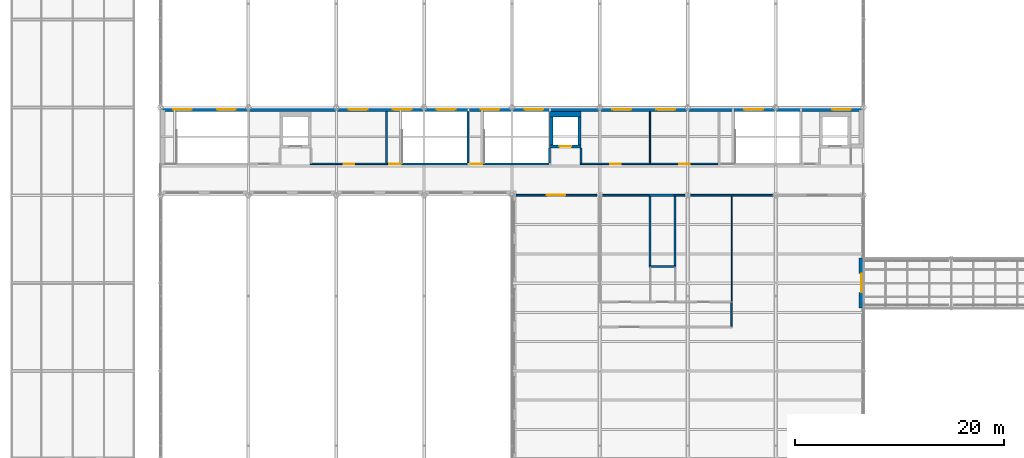
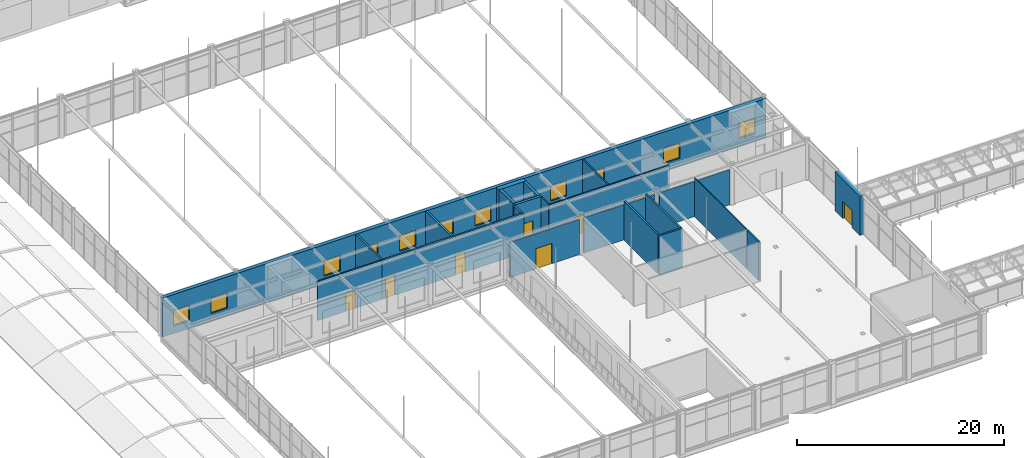
# One storey, part 152 of 167: 24 walls, 11 windows, 8 doors, 19 openings.
"""IFC4 building model written with IfcOpenShell, lengths in metres."""

from ifc_helpers import new_model, si_unit, direction, frame, frame_2d, origin, place, context, subcontext, project, spatial, rectangle, extrude, material, layer, layer_set, type_object, element, fill, save


model = new_model("IFC4")

# Units and contexts
model_context = context("Model", 3, precision=1e-05, world=origin(), true_north=direction((0.0, 1.0)))
body_context = subcontext(model_context, "Body", "Model", "MODEL_VIEW")
ifc_project = project(units=[si_unit("LENGTHUNIT", "METRE"), si_unit("AREAUNIT", "SQUARE_METRE"), si_unit("VOLUMEUNIT", "CUBIC_METRE"), si_unit("PLANEANGLEUNIT", "RADIAN"), si_unit("MASSUNIT", "GRAM", prefix="KILO")], contexts=[model_context])

# Site, building, storey
site_placement = place(None, origin())
site = spatial("IfcSite", under=ifc_project, at=site_placement, CompositionType="ELEMENT")
building_placement = place(site_placement, origin())
building = spatial("IfcBuilding", under=site, at=building_placement, Name="Catenary Quay Ferry Terminal", CompositionType="ELEMENT")
storey_placement = place(building_placement, frame((0.0, 0.0, 6.0)))
storey = spatial("IfcBuildingStorey", under=building, at=storey_placement, Name="L01", CompositionType="ELEMENT", Elevation=6.0)

# Wall, opening, door
ifc_material_1 = material(Name="Masonry and insulation", Category="masonry")
ifc_layer_1 = layer(ifc_material_1, 0.39990234375)
ifc_layer_set_1 = layer_set([ifc_layer_1], Name="EW13")
wall_type_1 = type_object("IfcWallType", Name="EW13", PredefinedType="SOLIDWALL", material=ifc_layer_set_1)
wall_1_placement = place(storey_placement, frame((92.199951171875, 90.0, 0.0), z_axis=(0.0, 0.0, 1.0), x_axis=(0.0, 1.0, 0.0)))
wall_1 = element("IfcWall", 1, at=wall_1_placement, inside=storey, type_object=wall_type_1, Name="P30 wall WL185", PredefinedType="SOLIDWALL", context=body_context, shape_type="SweptSolid", body=[
    extrude(rectangle(XDim=4.800048828125, YDim=0.39990234375, at=frame_2d((2.39990234375, 0.0))), origin(), (0.0, 0.0, 1.0), 4.60009765625),
])
opening_1_placement = place(wall_1_placement, frame((1.5, 0.0, 0.0)))
opening_1 = element("IfcOpeningElement", 2, at=opening_1_placement, cuts=wall_1, Name="Opening D125", PredefinedType="OPENING", context=body_context, shape_type="SweptSolid", body=[
    extrude(rectangle(XDim=1.800048828125, YDim=2.0, at=frame_2d((0.89990234375, 1.0))), frame((0.0, 0.2099609375, 0.0), z_axis=(0.0, -1.0, 0.0), x_axis=(1.0, 0.0, 0.0)), (0.0, 0.0, 1.0), 0.419921875),
])
ifc_material_2 = material(Name="Aluminium and glass", Category="aluminium")
door_type_1 = type_object("IfcDoorType", Name="DI11", OperationType="DOUBLE_DOOR_SINGLE_SWING", PredefinedType="DOOR", material=ifc_material_2)
door_1_placement = place(opening_1_placement, origin())
door_1 = element("IfcDoor", 3, at=door_1_placement, inside=storey, type_object=door_type_1, Name="Boarding Bridge 2 to Boarding Concourse", OperationType="DOUBLE_DOOR_SINGLE_SWING", OverallHeight=2.0, OverallWidth=1.800048828125, PredefinedType="DOOR", context=body_context, shape_type="SweptSolid", body=[
    extrude(rectangle(XDim=1.800048828125, YDim=2.0, at=frame_2d((0.89990234375, 1.0))), frame((0.0, 0.02490234375, 0.0), z_axis=(0.0, -1.0, 0.0), x_axis=(1.0, 0.0, 0.0)), (0.0, 0.0, 1.0), 0.050048828125),
])
fill(opening_1, door_1)

# Wall, openings, windows
ifc_material_3 = material(Name="Masonry and insulation", Category="masonry")
ifc_layer_2 = layer(ifc_material_3, 0.39990234375)
ifc_layer_set_2 = layer_set([ifc_layer_2], Name="EW2")
wall_type_2 = type_object("IfcWallType", Name="EW2", PredefinedType="SOLIDWALL", material=ifc_layer_set_2)
wall_2_placement = place(storey_placement, frame((25.199951171875, 109.0, 0.0), z_axis=(0.0, 0.0, 1.0), x_axis=(1.0, 0.0, 0.0)))
wall_2 = element("IfcWall", 4, at=wall_2_placement, inside=storey, type_object=wall_type_2, Name="P24 wall WL179", PredefinedType="SOLIDWALL", context=body_context, shape_type="SweptSolid", body=[
    extrude(rectangle(XDim=67.199951171875, YDim=0.39990234375, at=frame_2d((33.60009765625, 0.0))), origin(), (0.0, 0.0, 1.0), 4.60009765625),
])
opening_2_placement = place(wall_2_placement, frame((1.199951171875, 0.0, 0.89990234375)))
opening_2 = element("IfcOpeningElement", 5, at=opening_2_placement, cuts=wall_2, Name="Opening W19", PredefinedType="OPENING", context=body_context, shape_type="SweptSolid", body=[
    extrude(rectangle(XDim=1.800048828125, YDim=1.800048828125, at=frame_2d((0.89990234375, 0.89990234375))), frame((0.0, 0.2099609375, 0.0), z_axis=(0.0, -1.0, 0.0), x_axis=(1.0, 0.0, 0.0)), (0.0, 0.0, 1.0), 0.419921875),
])
opening_3_placement = place(wall_2_placement, frame((5.39990234375, 0.0, 0.89990234375)))
opening_3 = element("IfcOpeningElement", 6, at=opening_3_placement, cuts=wall_2, Name="Opening W20", PredefinedType="OPENING", context=body_context, shape_type="SweptSolid", body=[
    extrude(rectangle(XDim=1.800048828125, YDim=1.800048828125, at=frame_2d((0.89990234375, 0.89990234375))), frame((0.0, 0.2099609375, 0.0), z_axis=(0.0, -1.0, 0.0), x_axis=(1.0, 0.0, 0.0)), (0.0, 0.0, 1.0), 0.419921875),
])
opening_4_placement = place(wall_2_placement, frame((18.0, 0.0, 0.89990234375)))
opening_4 = element("IfcOpeningElement", 7, at=opening_4_placement, cuts=wall_2, Name="Opening W21", PredefinedType="OPENING", context=body_context, shape_type="SweptSolid", body=[
    extrude(rectangle(XDim=1.800048828125, YDim=1.800048828125, at=frame_2d((0.89990234375, 0.89990234375))), frame((0.0, 0.2099609375, 0.0), z_axis=(0.0, -1.0, 0.0), x_axis=(1.0, 0.0, 0.0)), (0.0, 0.0, 1.0), 0.419921875),
])
opening_5_placement = place(wall_2_placement, frame((22.199951171875, 0.0, 0.89990234375)))
opening_5 = element("IfcOpeningElement", 8, at=opening_5_placement, cuts=wall_2, Name="Opening W22", PredefinedType="OPENING", context=body_context, shape_type="SweptSolid", body=[
    extrude(rectangle(XDim=1.800048828125, YDim=1.800048828125, at=frame_2d((0.89990234375, 0.89990234375))), frame((0.0, 0.2099609375, 0.0), z_axis=(0.0, -1.0, 0.0), x_axis=(1.0, 0.0, 0.0)), (0.0, 0.0, 1.0), 0.419921875),
])
opening_6_placement = place(wall_2_placement, frame((26.39990234375, 0.0, 0.89990234375)))
opening_6 = element("IfcOpeningElement", 9, at=opening_6_placement, cuts=wall_2, Name="Opening W23", PredefinedType="OPENING", context=body_context, shape_type="SweptSolid", body=[
    extrude(rectangle(XDim=1.800048828125, YDim=1.800048828125, at=frame_2d((0.89990234375, 0.89990234375))), frame((0.0, 0.2099609375, 0.0), z_axis=(0.0, -1.0, 0.0), x_axis=(1.0, 0.0, 0.0)), (0.0, 0.0, 1.0), 0.419921875),
])
opening_7_placement = place(wall_2_placement, frame((30.60009765625, 0.0, 0.89990234375)))
opening_7 = element("IfcOpeningElement", 10, at=opening_7_placement, cuts=wall_2, Name="Opening W24", PredefinedType="OPENING", context=body_context, shape_type="SweptSolid", body=[
    extrude(rectangle(XDim=1.800048828125, YDim=1.800048828125, at=frame_2d((0.89990234375, 0.89990234375))), frame((0.0, 0.2099609375, 0.0), z_axis=(0.0, -1.0, 0.0), x_axis=(1.0, 0.0, 0.0)), (0.0, 0.0, 1.0), 0.419921875),
])
opening_8_placement = place(wall_2_placement, frame((34.800048828125, 0.0, 0.89990234375)))
opening_8 = element("IfcOpeningElement", 11, at=opening_8_placement, cuts=wall_2, Name="Opening W25", PredefinedType="OPENING", context=body_context, shape_type="SweptSolid", body=[
    extrude(rectangle(XDim=1.800048828125, YDim=1.800048828125, at=frame_2d((0.89990234375, 0.89990234375))), frame((0.0, 0.2099609375, 0.0), z_axis=(0.0, -1.0, 0.0), x_axis=(1.0, 0.0, 0.0)), (0.0, 0.0, 1.0), 0.419921875),
])
opening_9_placement = place(wall_2_placement, frame((43.199951171875, 0.0, 0.89990234375)))
opening_9 = element("IfcOpeningElement", 12, at=opening_9_placement, cuts=wall_2, Name="Opening W26", PredefinedType="OPENING", context=body_context, shape_type="SweptSolid", body=[
    extrude(rectangle(XDim=1.800048828125, YDim=1.800048828125, at=frame_2d((0.89990234375, 0.89990234375))), frame((0.0, 0.2099609375, 0.0), z_axis=(0.0, -1.0, 0.0), x_axis=(1.0, 0.0, 0.0)), (0.0, 0.0, 1.0), 0.419921875),
])
opening_10_placement = place(wall_2_placement, frame((47.39990234375, 0.0, 0.89990234375)))
opening_10 = element("IfcOpeningElement", 13, at=opening_10_placement, cuts=wall_2, Name="Opening W27", PredefinedType="OPENING", context=body_context, shape_type="SweptSolid", body=[
    extrude(rectangle(XDim=1.800048828125, YDim=1.800048828125, at=frame_2d((0.89990234375, 0.89990234375))), frame((0.0, 0.2099609375, 0.0), z_axis=(0.0, -1.0, 0.0), x_axis=(1.0, 0.0, 0.0)), (0.0, 0.0, 1.0), 0.419921875),
])
opening_11_placement = place(wall_2_placement, frame((55.800048828125, 0.0, 0.89990234375)))
opening_11 = element("IfcOpeningElement", 14, at=opening_11_placement, cuts=wall_2, Name="Opening W28", PredefinedType="OPENING", context=body_context, shape_type="SweptSolid", body=[
    extrude(rectangle(XDim=1.800048828125, YDim=1.800048828125, at=frame_2d((0.89990234375, 0.89990234375))), frame((0.0, 0.2099609375, 0.0), z_axis=(0.0, -1.0, 0.0), x_axis=(1.0, 0.0, 0.0)), (0.0, 0.0, 1.0), 0.419921875),
])
opening_12_placement = place(wall_2_placement, frame((64.199951171875, 0.0, 0.89990234375)))
opening_12 = element("IfcOpeningElement", 15, at=opening_12_placement, cuts=wall_2, Name="Opening W29", PredefinedType="OPENING", context=body_context, shape_type="SweptSolid", body=[
    extrude(rectangle(XDim=1.800048828125, YDim=1.800048828125, at=frame_2d((0.89990234375, 0.89990234375))), frame((0.0, 0.2099609375, 0.0), z_axis=(0.0, -1.0, 0.0), x_axis=(1.0, 0.0, 0.0)), (0.0, 0.0, 1.0), 0.419921875),
])
ifc_material_4 = material(Name="Aluminium and glass", Category="aluminium")
window_type = type_object("IfcWindowType", Name="WT1", PartitioningType="SINGLE_PANEL", PredefinedType="WINDOW", material=ifc_material_4)
window_1_placement = place(opening_2_placement, origin())
window_1 = element("IfcWindow", 16, at=window_1_placement, inside=storey, type_object=window_type, Name="P24 window W19", OverallHeight=1.800048828125, OverallWidth=1.800048828125, PartitioningType="SINGLE_PANEL", PredefinedType="WINDOW", context=body_context, shape_type="SweptSolid", body=[
    extrude(rectangle(XDim=1.800048828125, YDim=1.800048828125, at=frame_2d((0.89990234375, 0.89990234375))), frame((0.0, 0.030029296875, 0.0), z_axis=(0.0, -1.0, 0.0), x_axis=(1.0, 0.0, 0.0)), (0.0, 0.0, 1.0), 0.06005859375),
])
fill(opening_2, window_1)
window_2_placement = place(opening_3_placement, origin())
window_2 = element("IfcWindow", 17, at=window_2_placement, inside=storey, type_object=window_type, Name="P24 window W20", OverallHeight=1.800048828125, OverallWidth=1.800048828125, PartitioningType="SINGLE_PANEL", PredefinedType="WINDOW", context=body_context, shape_type="SweptSolid", body=[
    extrude(rectangle(XDim=1.800048828125, YDim=1.800048828125, at=frame_2d((0.89990234375, 0.89990234375))), frame((0.0, 0.030029296875, 0.0), z_axis=(0.0, -1.0, 0.0), x_axis=(1.0, 0.0, 0.0)), (0.0, 0.0, 1.0), 0.06005859375),
])
fill(opening_3, window_2)
window_3_placement = place(opening_4_placement, origin())
window_3 = element("IfcWindow", 18, at=window_3_placement, inside=storey, type_object=window_type, Name="P24 window W21", OverallHeight=1.800048828125, OverallWidth=1.800048828125, PartitioningType="SINGLE_PANEL", PredefinedType="WINDOW", context=body_context, shape_type="SweptSolid", body=[
    extrude(rectangle(XDim=1.800048828125, YDim=1.800048828125, at=frame_2d((0.89990234375, 0.89990234375))), frame((0.0, 0.030029296875, 0.0), z_axis=(0.0, -1.0, 0.0), x_axis=(1.0, 0.0, 0.0)), (0.0, 0.0, 1.0), 0.06005859375),
])
fill(opening_4, window_3)
window_4_placement = place(opening_5_placement, origin())
window_4 = element("IfcWindow", 19, at=window_4_placement, inside=storey, type_object=window_type, Name="P24 window W22", OverallHeight=1.800048828125, OverallWidth=1.800048828125, PartitioningType="SINGLE_PANEL", PredefinedType="WINDOW", context=body_context, shape_type="SweptSolid", body=[
    extrude(rectangle(XDim=1.800048828125, YDim=1.800048828125, at=frame_2d((0.89990234375, 0.89990234375))), frame((0.0, 0.030029296875, 0.0), z_axis=(0.0, -1.0, 0.0), x_axis=(1.0, 0.0, 0.0)), (0.0, 0.0, 1.0), 0.06005859375),
])
fill(opening_5, window_4)
window_5_placement = place(opening_6_placement, origin())
window_5 = element("IfcWindow", 20, at=window_5_placement, inside=storey, type_object=window_type, Name="P24 window W23", OverallHeight=1.800048828125, OverallWidth=1.800048828125, PartitioningType="SINGLE_PANEL", PredefinedType="WINDOW", context=body_context, shape_type="SweptSolid", body=[
    extrude(rectangle(XDim=1.800048828125, YDim=1.800048828125, at=frame_2d((0.89990234375, 0.89990234375))), frame((0.0, 0.030029296875, 0.0), z_axis=(0.0, -1.0, 0.0), x_axis=(1.0, 0.0, 0.0)), (0.0, 0.0, 1.0), 0.06005859375),
])
fill(opening_6, window_5)
window_6_placement = place(opening_7_placement, origin())
window_6 = element("IfcWindow", 21, at=window_6_placement, inside=storey, type_object=window_type, Name="P24 window W24", OverallHeight=1.800048828125, OverallWidth=1.800048828125, PartitioningType="SINGLE_PANEL", PredefinedType="WINDOW", context=body_context, shape_type="SweptSolid", body=[
    extrude(rectangle(XDim=1.800048828125, YDim=1.800048828125, at=frame_2d((0.89990234375, 0.89990234375))), frame((0.0, 0.030029296875, 0.0), z_axis=(0.0, -1.0, 0.0), x_axis=(1.0, 0.0, 0.0)), (0.0, 0.0, 1.0), 0.06005859375),
])
fill(opening_7, window_6)
window_7_placement = place(opening_8_placement, origin())
window_7 = element("IfcWindow", 22, at=window_7_placement, inside=storey, type_object=window_type, Name="P24 window W25", OverallHeight=1.800048828125, OverallWidth=1.800048828125, PartitioningType="SINGLE_PANEL", PredefinedType="WINDOW", context=body_context, shape_type="SweptSolid", body=[
    extrude(rectangle(XDim=1.800048828125, YDim=1.800048828125, at=frame_2d((0.89990234375, 0.89990234375))), frame((0.0, 0.030029296875, 0.0), z_axis=(0.0, -1.0, 0.0), x_axis=(1.0, 0.0, 0.0)), (0.0, 0.0, 1.0), 0.06005859375),
])
fill(opening_8, window_7)
window_8_placement = place(opening_9_placement, origin())
window_8 = element("IfcWindow", 23, at=window_8_placement, inside=storey, type_object=window_type, Name="P24 window W26", OverallHeight=1.800048828125, OverallWidth=1.800048828125, PartitioningType="SINGLE_PANEL", PredefinedType="WINDOW", context=body_context, shape_type="SweptSolid", body=[
    extrude(rectangle(XDim=1.800048828125, YDim=1.800048828125, at=frame_2d((0.89990234375, 0.89990234375))), frame((0.0, 0.030029296875, 0.0), z_axis=(0.0, -1.0, 0.0), x_axis=(1.0, 0.0, 0.0)), (0.0, 0.0, 1.0), 0.06005859375),
])
fill(opening_9, window_8)
window_9_placement = place(opening_10_placement, origin())
window_9 = element("IfcWindow", 24, at=window_9_placement, inside=storey, type_object=window_type, Name="P24 window W27", OverallHeight=1.800048828125, OverallWidth=1.800048828125, PartitioningType="SINGLE_PANEL", PredefinedType="WINDOW", context=body_context, shape_type="SweptSolid", body=[
    extrude(rectangle(XDim=1.800048828125, YDim=1.800048828125, at=frame_2d((0.89990234375, 0.89990234375))), frame((0.0, 0.030029296875, 0.0), z_axis=(0.0, -1.0, 0.0), x_axis=(1.0, 0.0, 0.0)), (0.0, 0.0, 1.0), 0.06005859375),
])
fill(opening_10, window_9)
window_10_placement = place(opening_11_placement, origin())
window_10 = element("IfcWindow", 25, at=window_10_placement, inside=storey, type_object=window_type, Name="P24 window W28", OverallHeight=1.800048828125, OverallWidth=1.800048828125, PartitioningType="SINGLE_PANEL", PredefinedType="WINDOW", context=body_context, shape_type="SweptSolid", body=[
    extrude(rectangle(XDim=1.800048828125, YDim=1.800048828125, at=frame_2d((0.89990234375, 0.89990234375))), frame((0.0, 0.030029296875, 0.0), z_axis=(0.0, -1.0, 0.0), x_axis=(1.0, 0.0, 0.0)), (0.0, 0.0, 1.0), 0.06005859375),
])
fill(opening_11, window_10)
window_11_placement = place(opening_12_placement, origin())
window_11 = element("IfcWindow", 26, at=window_11_placement, inside=storey, type_object=window_type, Name="P24 window W29", OverallHeight=1.800048828125, OverallWidth=1.800048828125, PartitioningType="SINGLE_PANEL", PredefinedType="WINDOW", context=body_context, shape_type="SweptSolid", body=[
    extrude(rectangle(XDim=1.800048828125, YDim=1.800048828125, at=frame_2d((0.89990234375, 0.89990234375))), frame((0.0, 0.030029296875, 0.0), z_axis=(0.0, -1.0, 0.0), x_axis=(1.0, 0.0, 0.0)), (0.0, 0.0, 1.0), 0.06005859375),
])
fill(opening_12, window_11)

# Wall, opening, door
ifc_material_5 = material(Name="Plasterboard on steel studs", Category="steel")
ifc_layer_3 = layer(ifc_material_5, 0.14990234375)
ifc_layer_set_3 = layer_set([ifc_layer_3], Name="IP3")
wall_type_3 = type_object("IfcWallType", Name="IP3", PredefinedType="PARTITIONING", material=ifc_layer_set_3)
wall_3_placement = place(storey_placement, frame((59.199951171875, 100.800048828125, 0.0), z_axis=(0.0, 0.0, 1.0), x_axis=(1.0, 0.0, 0.0)))
wall_3 = element("IfcWall", 27, at=wall_3_placement, inside=storey, type_object=wall_type_3, Name="Partition L01 12", PredefinedType="PARTITIONING", context=body_context, shape_type="SweptSolid", body=[
    extrude(rectangle(XDim=7.74609375, YDim=0.14990234375, at=frame_2d((3.873046875, 0.0))), origin(), (0.0, 0.0, 1.0), 4.146240234375),
])
opening_13_placement = place(wall_3_placement, frame((2.89990234375, 0.0, 0.0)))
opening_13 = element("IfcOpeningElement", 28, at=opening_13_placement, cuts=wall_3, Name="Opening D116", PredefinedType="OPENING", context=body_context, shape_type="SweptSolid", body=[
    extrude(rectangle(XDim=1.800048828125, YDim=2.39990234375, at=frame_2d((0.89990234375, 1.199951171875))), frame((0.0, 0.0849609375, 0.0), z_axis=(0.0, -1.0, 0.0), x_axis=(1.0, 0.0, 0.0)), (0.0, 0.0, 1.0), 0.169921875),
])
ifc_material_6 = material(Name="Aluminium and glass", Category="aluminium")
door_type_2 = type_object("IfcDoorType", Name="DI6", OperationType="DOUBLE_DOOR_SINGLE_SWING", PredefinedType="DOOR", material=ifc_material_6)
door_2_placement = place(opening_13_placement, origin())
door_2 = element("IfcDoor", 29, at=door_2_placement, inside=storey, type_object=door_type_2, Name="Operations Corridor to Waiting Lounge Premium", OperationType="DOUBLE_DOOR_SINGLE_SWING", OverallHeight=2.39990234375, OverallWidth=1.800048828125, PredefinedType="DOOR", context=body_context, shape_type="SweptSolid", body=[
    extrude(rectangle(XDim=1.800048828125, YDim=2.39990234375, at=frame_2d((0.89990234375, 1.199951171875))), frame((0.0, 0.02490234375, 0.0), z_axis=(0.0, -1.0, 0.0), x_axis=(1.0, 0.0, 0.0)), (0.0, 0.0, 1.0), 0.050048828125),
])
fill(opening_13, door_2)

# Walls
wall_4_placement = place(storey_placement, frame((67.4541015625, 100.800048828125, 0.0), z_axis=(0.0, 0.0, 1.0), x_axis=(1.0, 0.0, 0.0)))
element("IfcWall", 30, at=wall_4_placement, inside=storey, type_object=wall_type_3, Name="Partition L01 13", PredefinedType="PARTITIONING", context=body_context, shape_type="SweptSolid", body=[
    extrude(rectangle(XDim=4.64599609375, YDim=0.14990234375, at=frame_2d((2.322998046875, 0.0))), origin(), (0.0, 0.0, 1.0), 4.146240234375),
])
wall_5_placement = place(storey_placement, frame((74.300048828125, 100.800048828125, 0.0), z_axis=(0.0, 0.0, 1.0), x_axis=(1.0, 0.0, 0.0)))
element("IfcWall", 31, at=wall_5_placement, inside=storey, type_object=wall_type_3, Name="Partition L01 15", PredefinedType="PARTITIONING", context=body_context, shape_type="SweptSolid", body=[
    extrude(rectangle(XDim=1.0458984375, YDim=0.14990234375, at=frame_2d((0.52294921875, 0.0))), origin(), (0.0, 0.0, 1.0), 4.146240234375),
])
wall_6_placement = place(storey_placement, frame((75.85400390625, 100.800048828125, 0.0), z_axis=(0.0, 0.0, 1.0), x_axis=(1.0, 0.0, 0.0)))
element("IfcWall", 32, at=wall_6_placement, inside=storey, type_object=wall_type_3, Name="Partition L01 16", PredefinedType="PARTITIONING", context=body_context, shape_type="SweptSolid", body=[
    extrude(rectangle(XDim=7.89208984375, YDim=0.14990234375, at=frame_2d((3.946044921875, 0.0))), origin(), (0.0, 0.0, 1.0), 4.146240234375),
])

# Wall, opening, door
wall_7_placement = place(storey_placement, frame((39.52490234375, 103.800048828125, 0.0), z_axis=(0.0, 0.0, 1.0), x_axis=(1.0, 0.0, 0.0)))
wall_7 = element("IfcWall", 33, at=wall_7_placement, inside=storey, type_object=wall_type_3, Name="Partition L01 20", PredefinedType="PARTITIONING", context=body_context, shape_type="SweptSolid", body=[
    extrude(rectangle(XDim=7.375, YDim=0.14990234375, at=frame_2d((3.6875, 0.0))), origin(), (0.0, 0.0, 1.0), 4.60009765625),
])
opening_14_placement = place(wall_7_placement, frame((3.175048828125, 0.0, 0.0)))
opening_14 = element("IfcOpeningElement", 34, at=opening_14_placement, cuts=wall_7, Name="Opening D105", PredefinedType="OPENING", context=body_context, shape_type="SweptSolid", body=[
    extrude(rectangle(XDim=1.0, YDim=2.10009765625, at=frame_2d((0.5, 1.050048828125))), frame((0.0, 0.0849609375, 0.0), z_axis=(0.0, -1.0, 0.0), x_axis=(1.0, 0.0, 0.0)), (0.0, 0.0, 1.0), 0.169921875),
])
ifc_material_7 = material(Name="Timber", Category="wood")
door_type_3 = type_object("IfcDoorType", Name="DI7", OperationType="SINGLE_SWING_LEFT", PredefinedType="DOOR", material=ifc_material_7)
door_3_placement = place(opening_14_placement, origin())
door_3 = element("IfcDoor", 35, at=door_3_placement, inside=storey, type_object=door_type_3, Name="Port Police Office to Operations Corridor", OperationType="SINGLE_SWING_LEFT", OverallHeight=2.10009765625, OverallWidth=1.0, PredefinedType="DOOR", context=body_context, shape_type="SweptSolid", body=[
    extrude(rectangle(XDim=1.0, YDim=2.10009765625, at=frame_2d((0.5, 1.050048828125))), frame((0.0, 0.02490234375, 0.0), z_axis=(0.0, -1.0, 0.0), x_axis=(1.0, 0.0, 0.0)), (0.0, 0.0, 1.0), 0.050048828125),
])
fill(opening_14, door_3)

# Wall, openings, doors
wall_8_placement = place(storey_placement, frame((65.324951171875, 103.800048828125, 0.0), z_axis=(0.0, 0.0, 1.0), x_axis=(1.0, 0.0, 0.0)))
wall_8 = element("IfcWall", 36, at=wall_8_placement, inside=storey, type_object=wall_type_3, Name="Partition L01 22", PredefinedType="PARTITIONING", context=body_context, shape_type="SweptSolid", body=[
    extrude(rectangle(XDim=13.375, YDim=0.14990234375, at=frame_2d((6.6875, 0.0))), origin(), (0.0, 0.0, 1.0), 4.60009765625),
])
opening_15_placement = place(wall_8_placement, frame((2.875, 0.0, 0.0)))
opening_15 = element("IfcOpeningElement", 37, at=opening_15_placement, cuts=wall_8, Name="Opening D108", PredefinedType="OPENING", context=body_context, shape_type="SweptSolid", body=[
    extrude(rectangle(XDim=1.0, YDim=2.10009765625, at=frame_2d((0.5, 1.050048828125))), frame((0.0, 0.0849609375, 0.0), z_axis=(0.0, -1.0, 0.0), x_axis=(1.0, 0.0, 0.0)), (0.0, 0.0, 1.0), 0.169921875),
])
opening_16_placement = place(wall_8_placement, frame((9.47509765625, 0.0, 0.0)))
opening_16 = element("IfcOpeningElement", 38, at=opening_16_placement, cuts=wall_8, Name="Opening D109", PredefinedType="OPENING", context=body_context, shape_type="SweptSolid", body=[
    extrude(rectangle(XDim=1.0, YDim=2.10009765625, at=frame_2d((0.5, 1.050048828125))), frame((0.0, 0.0849609375, 0.0), z_axis=(0.0, -1.0, 0.0), x_axis=(1.0, 0.0, 0.0)), (0.0, 0.0, 1.0), 0.169921875),
])
door_4_placement = place(opening_15_placement, origin())
door_4 = element("IfcDoor", 39, at=door_4_placement, inside=storey, type_object=door_type_3, Name="Customs Office to Operations Corridor", OperationType="SINGLE_SWING_LEFT", OverallHeight=2.10009765625, OverallWidth=1.0, PredefinedType="DOOR", context=body_context, shape_type="SweptSolid", body=[
    extrude(rectangle(XDim=1.0, YDim=2.10009765625, at=frame_2d((0.5, 1.050048828125))), frame((0.0, 0.02490234375, 0.0), z_axis=(0.0, -1.0, 0.0), x_axis=(1.0, 0.0, 0.0)), (0.0, 0.0, 1.0), 0.050048828125),
])
fill(opening_15, door_4)
door_5_placement = place(opening_16_placement, origin())
door_5 = element("IfcDoor", 40, at=door_5_placement, inside=storey, type_object=door_type_3, Name="Airline and Operator Office to Operations Corridor", OperationType="SINGLE_SWING_LEFT", OverallHeight=2.10009765625, OverallWidth=1.0, PredefinedType="DOOR", context=body_context, shape_type="SweptSolid", body=[
    extrude(rectangle(XDim=1.0, YDim=2.10009765625, at=frame_2d((0.5, 1.050048828125))), frame((0.0, 0.02490234375, 0.0), z_axis=(0.0, -1.0, 0.0), x_axis=(1.0, 0.0, 0.0)), (0.0, 0.0, 1.0), 0.050048828125),
])
fill(opening_16, door_5)

# Walls
wall_9_placement = place(storey_placement, frame((65.39990234375, 103.875, 0.0), z_axis=(0.0, 0.0, 1.0), x_axis=(0.0, 1.0, 0.0)))
element("IfcWall", 41, at=wall_9_placement, inside=storey, type_object=wall_type_3, Name="Partition L01 82", PredefinedType="PARTITIONING", context=body_context, shape_type="SweptSolid", body=[
    extrude(rectangle(XDim=1.425048828125, YDim=0.14990234375, at=frame_2d((0.71240234375, 0.0))), origin(), (0.0, 0.0, 1.0), 4.60009765625),
])
wall_10_placement = place(storey_placement, frame((79.800048828125, 88.27490234375, 0.0), z_axis=(0.0, 0.0, 1.0), x_axis=(0.0, 1.0, 0.0)))
element("IfcWall", 42, at=wall_10_placement, inside=storey, type_object=wall_type_3, Name="Partition L01 91", PredefinedType="PARTITIONING", context=body_context, shape_type="SweptSolid", body=[
    extrude(rectangle(XDim=2.25, YDim=0.14990234375, at=frame_2d((1.125, 0.0))), origin(), (0.0, 0.0, 1.0), 4.60009765625),
])

# Wall, openings, doors
ifc_material_8 = material(Name="Blockwork and plaster", Category="masonry")
ifc_layer_4 = layer(ifc_material_8, 0.199951171875)
ifc_layer_set_4 = layer_set([ifc_layer_4], Name="IP4")
wall_type_4 = type_object("IfcWallType", Name="IP4", PredefinedType="PARTITIONING", material=ifc_layer_set_4)
wall_11_placement = place(storey_placement, frame((46.699951171875, 103.800048828125, 0.0), z_axis=(0.0, 0.0, 1.0), x_axis=(1.0, 0.0, 0.0)))
wall_11 = element("IfcWall", 43, at=wall_11_placement, inside=storey, type_object=wall_type_4, Name="Partition L01 21", PredefinedType="PARTITIONING", context=body_context, shape_type="SweptSolid", body=[
    extrude(rectangle(XDim=15.800048828125, YDim=0.199951171875, at=frame_2d((7.89990234375, 0.0))), origin(), (0.0, 0.0, 1.0), 4.60009765625),
])
opening_17_placement = place(wall_11_placement, frame((0.35009765625, 0.0, 0.0)))
opening_17 = element("IfcOpeningElement", 44, at=opening_17_placement, cuts=wall_11, Name="Opening D106", PredefinedType="OPENING", context=body_context, shape_type="SweptSolid", body=[
    extrude(rectangle(XDim=1.10009765625, YDim=2.39990234375, at=frame_2d((0.550048828125, 1.199951171875))), frame((0.0, 0.10986328125, 0.0), z_axis=(0.0, -1.0, 0.0), x_axis=(1.0, 0.0, 0.0)), (0.0, 0.0, 1.0), 0.219970703125),
])
opening_18_placement = place(wall_11_placement, frame((8.14990234375, 0.0, 0.0)))
opening_18 = element("IfcOpeningElement", 45, at=opening_18_placement, cuts=wall_11, Name="Opening D107", PredefinedType="OPENING", context=body_context, shape_type="SweptSolid", body=[
    extrude(rectangle(XDim=1.10009765625, YDim=2.39990234375, at=frame_2d((0.550048828125, 1.199951171875))), frame((0.0, 0.10986328125, 0.0), z_axis=(0.0, -1.0, 0.0), x_axis=(1.0, 0.0, 0.0)), (0.0, 0.0, 1.0), 0.219970703125),
])
ifc_material_9 = material(Name="Steel", Category="steel")
door_type_4 = type_object("IfcDoorType", Name="DI4", OperationType="SINGLE_SWING_LEFT", PredefinedType="DOOR", material=ifc_material_9)
door_6_placement = place(opening_17_placement, origin())
door_6 = element("IfcDoor", 46, at=door_6_placement, inside=storey, type_object=door_type_4, Name="Stair TS2 to Operations Corridor", OperationType="SINGLE_SWING_LEFT", OverallHeight=2.39990234375, OverallWidth=1.10009765625, PredefinedType="DOOR", context=body_context, shape_type="SweptSolid", body=[
    extrude(rectangle(XDim=1.10009765625, YDim=2.39990234375, at=frame_2d((0.550048828125, 1.199951171875))), frame((0.0, 0.02490234375, 0.0), z_axis=(0.0, -1.0, 0.0), x_axis=(1.0, 0.0, 0.0)), (0.0, 0.0, 1.0), 0.050048828125),
])
fill(opening_17, door_6)
door_7_placement = place(opening_18_placement, origin())
door_7 = element("IfcDoor", 47, at=door_7_placement, inside=storey, type_object=door_type_4, Name="Stair TS4 to Operations Corridor", OperationType="SINGLE_SWING_LEFT", OverallHeight=2.39990234375, OverallWidth=1.10009765625, PredefinedType="DOOR", context=body_context, shape_type="SweptSolid", body=[
    extrude(rectangle(XDim=1.10009765625, YDim=2.39990234375, at=frame_2d((0.550048828125, 1.199951171875))), frame((0.0, 0.02490234375, 0.0), z_axis=(0.0, -1.0, 0.0), x_axis=(1.0, 0.0, 0.0)), (0.0, 0.0, 1.0), 0.050048828125),
])
fill(opening_18, door_7)

# Walls
for number, where, z_axis, x_axis, name in (
    (48, (46.800048828125, 103.89990234375, 0.0), (0.0, 0.0, 1.0), (0.0, 1.0, 0.0), "Partition L01 71"),
    (49, (54.60009765625, 103.89990234375, 0.0), (0.0, 0.0, 1.0), (0.0, 1.0, 0.0), "Partition L01 74"),
):
    element("IfcWall", number, at=place(storey_placement, frame(where, z_axis=z_axis, x_axis=x_axis)), inside=storey, type_object=wall_type_4, Name=name, PredefinedType="PARTITIONING", context=body_context, shape_type="SweptSolid", body=[
        extrude(rectangle(XDim=4.900146484375, YDim=0.199951171875, at=frame_2d((2.4501953125, 0.0))), origin(), (0.0, 0.0, 1.0), 4.60009765625),
    ])
wall_12_placement = place(storey_placement, frame((62.39990234375, 103.89990234375, 0.0), z_axis=(0.0, 0.0, 1.0), x_axis=(0.0, 1.0, 0.0)))
element("IfcWall", 50, at=wall_12_placement, inside=storey, type_object=wall_type_4, Name="Partition L01 78", PredefinedType="PARTITIONING", context=body_context, shape_type="SweptSolid", body=[
    extrude(rectangle(XDim=1.400146484375, YDim=0.199951171875, at=frame_2d((0.7001953125, 0.0))), origin(), (0.0, 0.0, 1.0), 4.60009765625),
])
ifc_material_10 = material(Name="Blockwork and plaster", Category="masonry")
ifc_layer_5 = layer(ifc_material_10, 0.199951171875)
ifc_layer_set_5 = layer_set([ifc_layer_5], Name="IP6")
wall_type_5 = type_object("IfcWallType", Name="IP6", PredefinedType="PARTITIONING", material=ifc_layer_set_5)
wall_13_placement = place(storey_placement, frame((71.89990234375, 94.0, 0.0), z_axis=(0.0, 0.0, 1.0), x_axis=(1.0, 0.0, 0.0)))
element("IfcWall", 51, at=wall_13_placement, inside=storey, type_object=wall_type_5, Name="Partition L01 10", PredefinedType="PARTITIONING", context=body_context, shape_type="SweptSolid", body=[
    extrude(rectangle(XDim=2.60009765625, YDim=0.199951171875, at=frame_2d((1.300048828125, 0.0))), origin(), (0.0, 0.0, 1.0), 4.60009765625),
])
wall_14_placement = place(storey_placement, frame((71.89990234375, 100.800048828125, 0.0), z_axis=(0.0, 0.0, 1.0), x_axis=(1.0, 0.0, 0.0)))
element("IfcWall", 52, at=wall_14_placement, inside=storey, type_object=wall_type_5, Name="Partition L01 14", PredefinedType="PARTITIONING", context=body_context, shape_type="SweptSolid", body=[
    extrude(rectangle(XDim=2.60009765625, YDim=0.199951171875, at=frame_2d((1.300048828125, 0.0))), origin(), (0.0, 0.0, 1.0), 4.146240234375),
])
for number, where, z_axis, x_axis, name in (
    (53, (72.0, 94.10009765625, 0.0), (0.0, 0.0, 1.0), (0.0, 1.0, 0.0), "Partition L01 86"),
    (54, (74.39990234375, 94.10009765625, 0.0), (0.0, 0.0, 1.0), (0.0, 1.0, 0.0), "Partition L01 89"),
):
    element("IfcWall", number, at=place(storey_placement, frame(where, z_axis=z_axis, x_axis=x_axis)), inside=storey, type_object=wall_type_5, Name=name, PredefinedType="PARTITIONING", context=body_context, shape_type="SweptSolid", body=[
        extrude(rectangle(XDim=6.599853515625, YDim=0.199951171875, at=frame_2d((3.2998046875, 0.0))), origin(), (0.0, 0.0, 1.0), 4.60009765625),
    ])
ifc_material_11 = material(Name="Plasterboard on steel studs", Category="steel")
ifc_layer_6 = layer(ifc_material_11, 0.10009765625)
ifc_layer_set_6 = layer_set([ifc_layer_6], Name="IP8")
wall_type_6 = type_object("IfcWallType", Name="IP8", PredefinedType="PARTITIONING", material=ifc_layer_set_6)
wall_15_placement = place(storey_placement, frame((79.800048828125, 90.675048828125, 0.0), z_axis=(0.0, 0.0, 1.0), x_axis=(0.0, 1.0, 0.0)))
element("IfcWall", 55, at=wall_15_placement, inside=storey, type_object=wall_type_6, Name="Partition L01 92", PredefinedType="PARTITIONING", context=body_context, shape_type="SweptSolid", body=[
    extrude(rectangle(XDim=10.050048828125, YDim=0.10009765625, at=frame_2d((5.02490234375, 0.0))), origin(), (0.0, 0.0, 1.0), 4.60009765625),
])
ifc_material_12 = material(Name="Plasterboard on steel studs", Category="steel")
ifc_layer_7 = layer(ifc_material_12, 0.125)
ifc_layer_set_7 = layer_set([ifc_layer_7], Name="IP9")
wall_type_7 = type_object("IfcWallType", Name="IP9", PredefinedType="PARTITIONING", material=ifc_layer_set_7)
wall_16_placement = place(storey_placement, frame((72.0, 103.875, 0.0), z_axis=(0.0, 0.0, 1.0), x_axis=(0.0, 1.0, 0.0)))
element("IfcWall", 56, at=wall_16_placement, inside=storey, type_object=wall_type_7, Name="Partition L01 87", PredefinedType="PARTITIONING", context=body_context, shape_type="SweptSolid", body=[
    extrude(rectangle(XDim=4.925048828125, YDim=0.125, at=frame_2d((2.46240234375, 0.0))), origin(), (0.0, 0.0, 1.0), 4.60009765625),
])

# Wall, opening, door
ifc_material_13 = material(Name="Concrete C50/60", Category="concrete")
ifc_layer_8 = layer(ifc_material_13, 0.300048828125)
ifc_layer_set_8 = layer_set([ifc_layer_8], Name="Shaft wall 300")
wall_type_8 = type_object("IfcWallType", Name="Shaft wall 300", PredefinedType="SHEAR", material=ifc_layer_set_8)
wall_17_placement = place(storey_placement, frame((62.39990234375, 105.449951171875, 0.0), z_axis=(0.0, 0.0, 1.0), x_axis=(1.0, 0.0, 0.0)))
wall_17 = element("IfcWall", 57, at=wall_17_placement, inside=storey, type_object=wall_type_8, Name="Shaft wall TL2 S", PredefinedType="SHEAR", context=body_context, shape_type="SweptSolid", body=[
    extrude(rectangle(XDim=3.0, YDim=0.300048828125, at=frame_2d((1.5, 0.0))), origin(), (0.0, 0.0, 1.0), 4.64990234375),
])
opening_19_placement = place(wall_17_placement, frame((0.949951171875, 0.0, 0.0)))
opening_19 = element("IfcOpeningElement", 58, at=opening_19_placement, cuts=wall_17, Name="Opening LD38", PredefinedType="OPENING", context=body_context, shape_type="SweptSolid", body=[
    extrude(rectangle(XDim=1.10009765625, YDim=2.10009765625, at=frame_2d((0.550048828125, 1.050048828125))), frame((0.0, 0.159912109375, 0.0), z_axis=(0.0, -1.0, 0.0), x_axis=(1.0, 0.0, 0.0)), (0.0, 0.0, 1.0), 0.320068359375),
])
ifc_material_14 = material(Name="Stainless steel", Category="steel")
door_type_5 = type_object("IfcDoorType", Name="DL1", OperationType="SLIDING_TO_LEFT", PredefinedType="DOOR", material=ifc_material_14)
door_8_placement = place(opening_19_placement, origin())
door_8 = element("IfcDoor", 59, at=door_8_placement, inside=storey, type_object=door_type_5, Name="Lift TL2 landing door L01", OperationType="SLIDING_TO_LEFT", OverallHeight=2.10009765625, OverallWidth=1.10009765625, PredefinedType="DOOR", context=body_context, shape_type="SweptSolid", body=[
    extrude(rectangle(XDim=1.10009765625, YDim=2.10009765625, at=frame_2d((0.550048828125, 1.050048828125))), frame((0.0, 0.02490234375, 0.0), z_axis=(0.0, -1.0, 0.0), x_axis=(1.0, 0.0, 0.0)), (0.0, 0.0, 1.0), 0.050048828125),
])
fill(opening_19, door_8)

# Walls
for number, where, z_axis, x_axis, name in (
    (60, (65.25, 105.60009765625, 0.0), (0.0, 0.0, 1.0), (0.0, 1.0, 0.0), "Shaft wall TL2 E"),
    (61, (62.550048828125, 105.60009765625, 0.0), (0.0, 0.0, 1.0), (0.0, 1.0, 0.0), "Shaft wall TL2 W"),
):
    element("IfcWall", number, at=place(storey_placement, frame(where, z_axis=z_axis, x_axis=x_axis)), inside=storey, type_object=wall_type_8, Name=name, PredefinedType="SHEAR", context=body_context, shape_type="SweptSolid", body=[
        extrude(rectangle(XDim=2.699951171875, YDim=0.300048828125, at=frame_2d((1.35009765625, 0.0))), origin(), (0.0, 0.0, 1.0), 4.64990234375),
    ])
ifc_material_15 = material(Name="Concrete C50/60", Category="concrete")
ifc_layer_9 = layer(ifc_material_15, 0.5)
ifc_layer_set_9 = layer_set([ifc_layer_9], Name="Shaft wall 500")
wall_type_9 = type_object("IfcWallType", Name="Shaft wall 500", PredefinedType="SHEAR", material=ifc_layer_set_9)
wall_18_placement = place(storey_placement, frame((62.39990234375, 108.550048828125, 0.0), z_axis=(0.0, 0.0, 1.0), x_axis=(1.0, 0.0, 0.0)))
element("IfcWall", 62, at=wall_18_placement, inside=storey, type_object=wall_type_9, Name="Shaft wall TL2 N", PredefinedType="SHEAR", context=body_context, shape_type="SweptSolid", body=[
    extrude(rectangle(XDim=3.0, YDim=0.5, at=frame_2d((1.5, 0.0))), origin(), (0.0, 0.0, 1.0), 4.64990234375),
])

save(model, "model.ifc")
